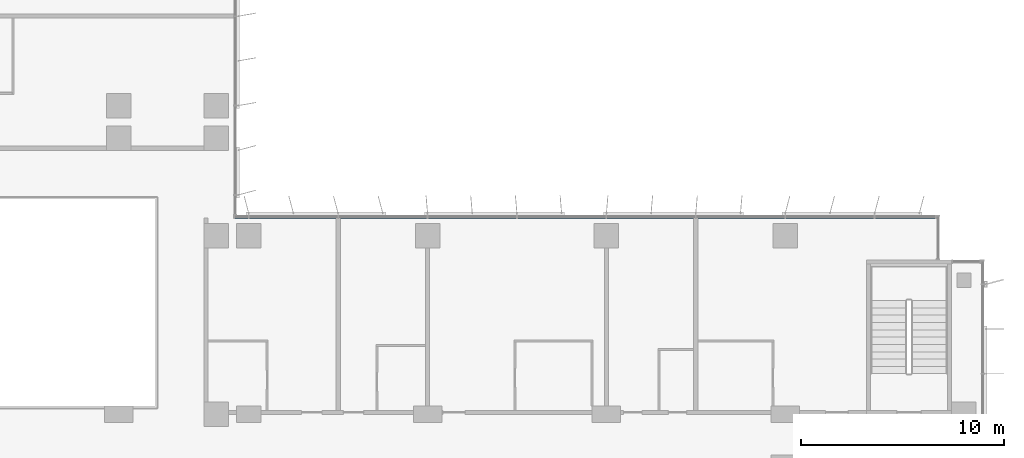
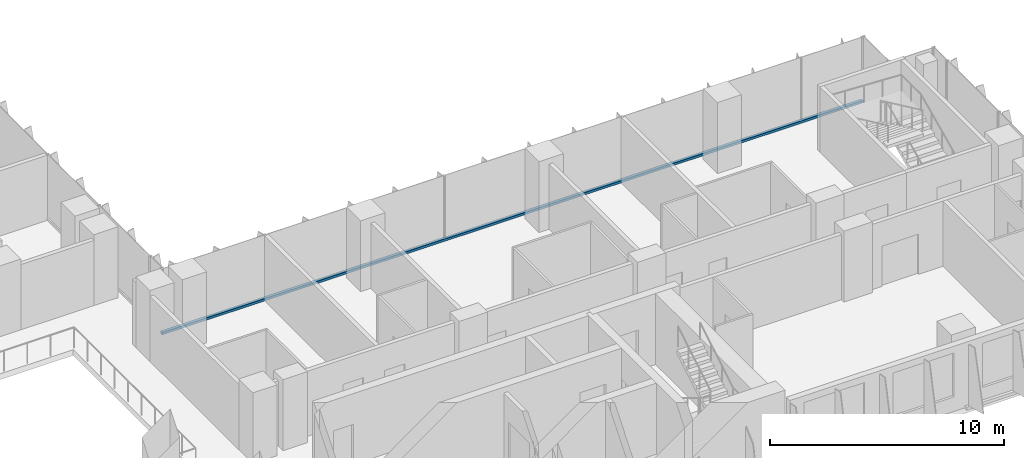
# One storey, part 3 of 22: 1 member, 1 element without a shape of its own.
"""IFC4 building model written with IfcOpenShell, lengths in metres."""

from ifc_helpers import new_model, si_unit, direction, frame, origin, origin_2d, place, context, subcontext, project, spatial, rectangle, extrude, material, material_profile, profile_set, type_object, element, aggregate, save


model = new_model("IFC4")

# Units and contexts
model_context = context("Model", 3, precision=1e-05, world=origin(), true_north=direction((0.0, 1.0)))
body_context = subcontext(model_context, "Body", "Model", "MODEL_VIEW")
ifc_project = project(units=[si_unit("LENGTHUNIT", "METRE"), si_unit("AREAUNIT", "SQUARE_METRE"), si_unit("VOLUMEUNIT", "CUBIC_METRE"), si_unit("PLANEANGLEUNIT", "RADIAN"), si_unit("MASSUNIT", "GRAM", prefix="KILO")], contexts=[model_context])

# Site, building, storey
site_placement = place(None, origin())
site = spatial("IfcSite", under=ifc_project, at=site_placement, CompositionType="ELEMENT")
building_placement = place(site_placement, origin())
building = spatial("IfcBuilding", under=site, at=building_placement, Name="Kemantara Hotel Tower", CompositionType="ELEMENT")
storey_placement = place(building_placement, frame((0.0, 0.0, 94.5)))
storey = spatial("IfcBuildingStorey", under=building, at=storey_placement, Name="L22", CompositionType="ELEMENT", Elevation=94.5)

# Curtain wall, member
ifc_material_1 = material(Name="Low-E tinted double insulated glass 36 mm", Category="glass")
curtain_wall_type = type_object("IfcCurtainWallType", Name="TOWER CURTAIN WALL, FRONT FACES", PredefinedType="USERDEFINED", material=ifc_material_1)
curtain_wall_placement = place(storey_placement, origin())
curtain_wall = element("IfcCurtainWall", 1, at=curtain_wall_placement, inside=storey, type_object=curtain_wall_type, Name="CW4 L22 T2-R13-1", ObjectType="TOWER CURTAIN WALL, FRONT FACES", PredefinedType="USERDEFINED")
ifc_material_2 = material(Name="Aluminium 6063-T6 bronze anodised", Category="aluminium")
ifc_material_profile = material_profile(ifc_material_2, rectangle(XDim=0.14990234375, YDim=0.1201171875, at=origin_2d()), Name="TOWER CURTAIN WALL, FRONT FACES TRANSOM")
ifc_profile_set = profile_set([ifc_material_profile], Name="Aluminium 6063-T6 bronze anodised")
member_type = type_object("IfcMemberType", Name="TOWER CURTAIN WALL, FRONT FACES TRANSOM", PredefinedType="USERDEFINED", material=ifc_profile_set)
member_placement = place(storey_placement, frame((61.25, 21.925048828125, 0.06005859375), z_axis=(-1.0, 0.0, 0.0), x_axis=(0.0, -1.0, 0.0)))
member = element("IfcMember", 2, at=member_placement, type_object=member_type, Name="CW4 sill transom T2-R13-1", ObjectType="TRANSOM", PredefinedType="USERDEFINED", context=body_context, shape_type="SweptSolid", body=[
    extrude(rectangle(XDim=0.14990234375, YDim=0.1201171875, at=origin_2d()), origin(), (0.0, 0.0, 1.0), 34.60009765625),
])
aggregate(curtain_wall, [member])

save(model, "model.ifc")
